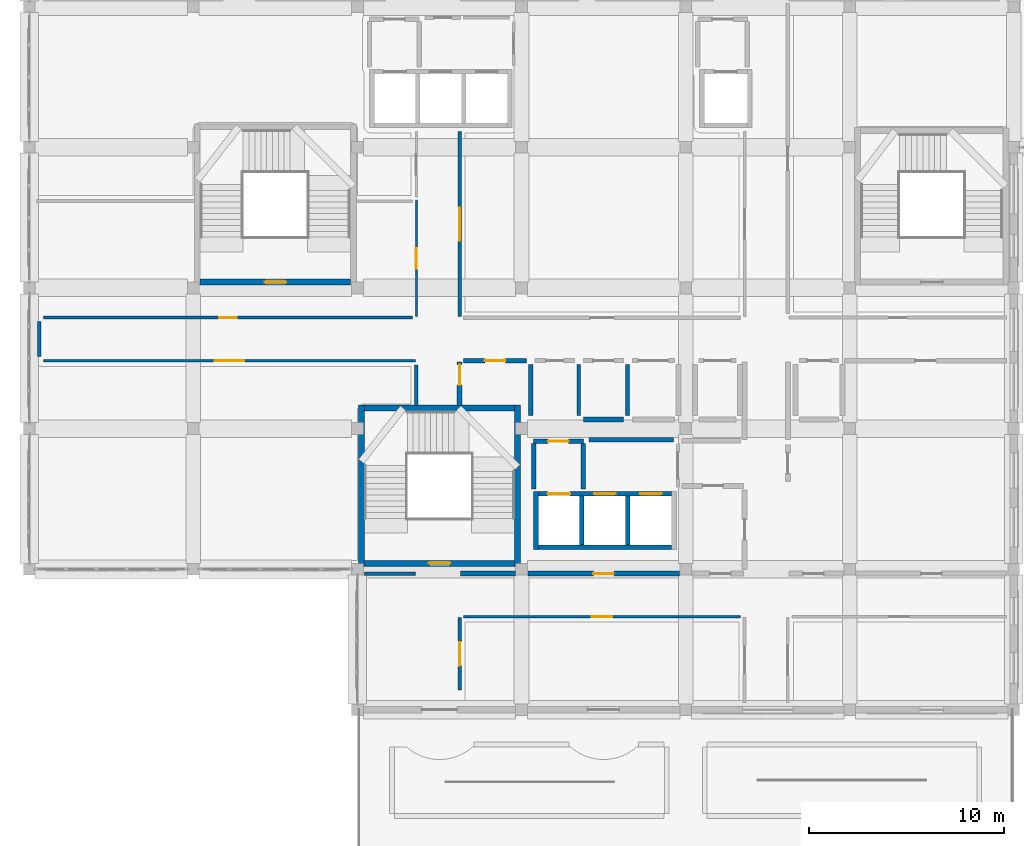
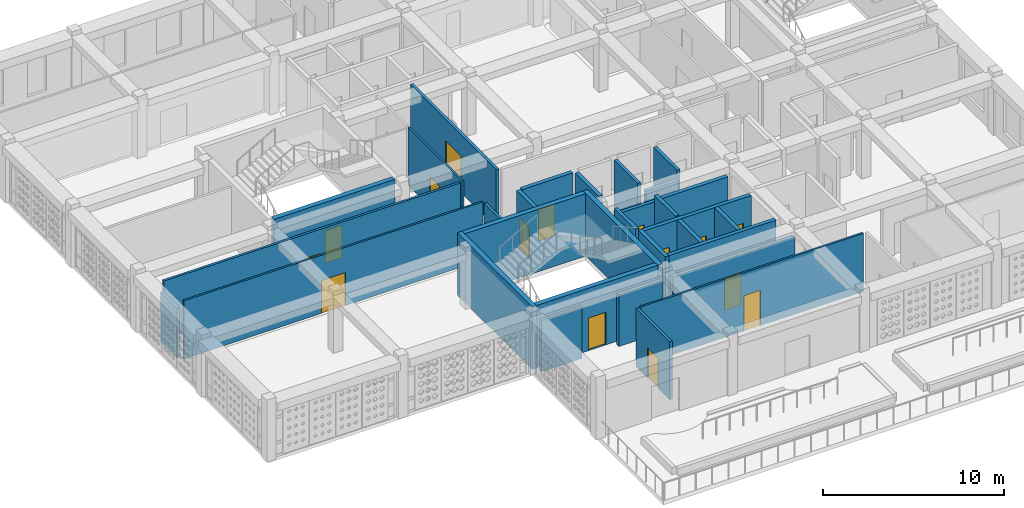
# One storey, part 28 of 48: 31 walls, 15 doors, 15 openings.
"""IFC4 building model written with IfcOpenShell, lengths in metres."""

from ifc_helpers import new_model, si_unit, derived_unit, direction, frame, frame_2d, origin, place, context, subcontext, project, spatial, rectangle, extrude, material, layer, layer_set, type_object, element, fill, save


model = new_model("IFC4")

# Units and contexts
model_context = context("Model", 3, precision=1e-05, world=origin(), true_north=direction((0.0, 1.0)))
body_context = subcontext(model_context, "Body", "Model", "MODEL_VIEW")
ifc_project = project(units=[si_unit("LENGTHUNIT", "METRE"), si_unit("AREAUNIT", "SQUARE_METRE"), si_unit("VOLUMEUNIT", "CUBIC_METRE"), si_unit("PLANEANGLEUNIT", "RADIAN"), si_unit("MASSUNIT", "GRAM", prefix="KILO"), derived_unit("THERMALTRANSMITTANCEUNIT", [(si_unit("POWERUNIT", "WATT"), 1), (si_unit("LENGTHUNIT", "METRE"), -2), (si_unit("THERMODYNAMICTEMPERATUREUNIT", "KELVIN"), -1)])], contexts=[model_context])

# Site, building, storey
site_placement = place(None, origin())
site = spatial("IfcSite", under=ifc_project, at=site_placement, CompositionType="ELEMENT")
building_placement = place(site_placement, origin())
building = spatial("IfcBuilding", under=site, at=building_placement, Name="Veybourne Emporium", CompositionType="ELEMENT")
storey_placement = place(building_placement, frame((0.0, 0.0, 27.89990234375)))
storey = spatial("IfcBuildingStorey", under=building, at=storey_placement, Name="L06", CompositionType="ELEMENT", Elevation=27.89990234375)

# Wall, opening, door
ifc_material_1 = material(Name="Concrete C40/50", Category="concrete")
ifc_layer_1 = layer(ifc_material_1, 0.300048828125)
ifc_layer_set_1 = layer_set([ifc_layer_1], Name="Concrete C40/50")
wall_type_1 = type_object("IfcWallType", Name="IntWall_CW-03", PredefinedType="SHEAR", material=ifc_layer_set_1)
wall_1_placement = place(storey_placement, frame((24.85009765625, 14.699951171875, 0.0), z_axis=(0.0, 0.0, 1.0), x_axis=(-1.0, 0.0, 0.0)))
wall_1 = element("IfcWall", 1, at=wall_1_placement, inside=storey, type_object=wall_type_1, Name="Core stair ST-01 south shear wall (L06)", PredefinedType="SHEAR", context=body_context, shape_type="SweptSolid", body=[
    extrude(rectangle(XDim=7.7001953125, YDim=0.300048828125, at=frame_2d((3.85009765625, 0.0))), origin(), (0.0, 0.0, 1.0), 4.2001953125),
])
opening_1_placement = place(wall_1_placement, frame((3.300048828125, 0.0, 0.0)))
opening_1 = element("IfcOpeningElement", 2, at=opening_1_placement, cuts=wall_1, Name="Opening FD-01", PredefinedType="OPENING", context=body_context, shape_type="SweptSolid", body=[
    extrude(rectangle(XDim=1.10009765625, YDim=2.199951171875, at=frame_2d((0.550048828125, 1.10009765625))), frame((0.0, 0.169921875, 0.0), z_axis=(0.0, -1.0, 0.0), x_axis=(1.0, 0.0, 0.0)), (0.0, 0.0, 1.0), 0.340087890625),
])
ifc_material_2 = material(Name="Patinated Architectural Bronze", Category="bronze")
door_type_1 = type_object("IfcDoorType", Name="FireDoor_FD-01", OperationType="NOTDEFINED", PredefinedType="DOOR", material=ifc_material_2)
door_1_placement = place(opening_1_placement, origin())
door_1 = element("IfcDoor", 3, at=door_1_placement, inside=storey, type_object=door_type_1, Name="Stair ST-01 fire door (L06)", OperationType="SINGLE_SWING_LEFT", OverallHeight=2.199951171875, OverallWidth=1.10009765625, PredefinedType="DOOR", context=body_context, shape_type="SweptSolid", body=[
    extrude(rectangle(XDim=1.10009765625, YDim=2.199951171875, at=frame_2d((0.550048828125, 1.10009765625))), frame((0.0, 0.02490234375, 0.0), z_axis=(0.0, -1.0, 0.0), x_axis=(1.0, 0.0, 0.0)), (0.0, 0.0, 1.0), 0.050048828125),
])
fill(opening_1, door_1)

# Walls
wall_2_placement = place(storey_placement, frame((17.14990234375, 22.64990234375, 0.0), z_axis=(0.0, 0.0, 1.0), x_axis=(1.0, 0.0, 0.0)))
element("IfcWall", 4, at=wall_2_placement, inside=storey, type_object=wall_type_1, Name="Core stair ST-01 north shear wall (L06)", PredefinedType="SHEAR", context=body_context, shape_type="SweptSolid", body=[
    extrude(rectangle(XDim=7.7001953125, YDim=0.300048828125, at=frame_2d((3.85009765625, 0.0))), origin(), (0.0, 0.0, 1.0), 4.2001953125),
])
for number, where, z_axis, x_axis, name in (
    (5, (17.0, 22.800048828125, 0.0), (0.0, 0.0, 1.0), (0.0, -1.0, 0.0), "Core stair ST-01 west shear wall (L06)"),
    (6, (25.0, 14.550048828125, 0.0), (0.0, 0.0, 1.0), (0.0, 1.0, 0.0), "Core stair ST-01 east shear wall (L06)"),
):
    element("IfcWall", number, at=place(storey_placement, frame(where, z_axis=z_axis, x_axis=x_axis)), inside=storey, type_object=wall_type_1, Name=name, PredefinedType="SHEAR", context=body_context, shape_type="SweptSolid", body=[
        extrude(rectangle(XDim=8.25, YDim=0.300048828125, at=frame_2d((4.125, 0.0))), origin(), (0.0, 0.0, 1.0), 4.2001953125),
    ])

# Wall, opening, door
wall_3_placement = place(storey_placement, frame((16.449951171875, 29.10009765625, 0.0), z_axis=(0.0, 0.0, 1.0), x_axis=(-1.0, 0.0, 0.0)))
wall_3 = element("IfcWall", 7, at=wall_3_placement, inside=storey, type_object=wall_type_1, Name="Core stair ST-02 south shear wall (L06)", PredefinedType="SHEAR", context=body_context, shape_type="SweptSolid", body=[
    extrude(rectangle(XDim=7.699951171875, YDim=0.300048828125, at=frame_2d((3.85009765625, 0.0))), origin(), (0.0, 0.0, 1.0), 4.2001953125),
])
opening_2_placement = place(wall_3_placement, frame((3.300048828125, 0.0, 0.0)))
opening_2 = element("IfcOpeningElement", 8, at=opening_2_placement, cuts=wall_3, Name="Opening FD-01", PredefinedType="OPENING", context=body_context, shape_type="SweptSolid", body=[
    extrude(rectangle(XDim=1.10009765625, YDim=2.199951171875, at=frame_2d((0.550048828125, 1.10009765625))), frame((0.0, 0.169921875, 0.0), z_axis=(0.0, -1.0, 0.0), x_axis=(1.0, 0.0, 0.0)), (0.0, 0.0, 1.0), 0.340087890625),
])
door_2_placement = place(opening_2_placement, origin())
door_2 = element("IfcDoor", 9, at=door_2_placement, inside=storey, type_object=door_type_1, Name="Stair ST-02 fire door (L06)", OperationType="SINGLE_SWING_RIGHT", OverallHeight=2.199951171875, OverallWidth=1.10009765625, PredefinedType="DOOR", context=body_context, shape_type="SweptSolid", body=[
    extrude(rectangle(XDim=1.10009765625, YDim=2.199951171875, at=frame_2d((0.550048828125, 1.10009765625))), frame((0.0, 0.02490234375, 0.0), z_axis=(0.0, -1.0, 0.0), x_axis=(1.0, 0.0, 0.0)), (0.0, 0.0, 1.0), 0.050048828125),
])
fill(opening_2, door_2)

# Wall, openings, doors
ifc_layer_2 = layer(ifc_material_1, 0.239990234375)
ifc_layer_set_2 = layer_set([ifc_layer_2], Name="Concrete C40/50")
wall_type_2 = type_object("IfcWallType", Name="IntWall_CW-04", PredefinedType="SHEAR", material=ifc_layer_set_2)
wall_4_placement = place(storey_placement, frame((32.8798828125, 18.27001953125, 0.0), z_axis=(0.0, 0.0, 1.0), x_axis=(-1.0, 0.0, 0.0)))
wall_4 = element("IfcWall", 10, at=wall_4_placement, inside=storey, type_object=wall_type_2, Name="Lift core C1 north shaft wall (L06)", PredefinedType="SHEAR", context=body_context, shape_type="SweptSolid", body=[
    extrude(rectangle(XDim=6.81982421875, YDim=0.239990234375, at=frame_2d((3.409912109375, 0.0))), origin(), (0.0, 0.0, 1.0), 3.91015625),
])
opening_3_placement = place(wall_4_placement, frame((5.195068359375, 0.0, 0.0)))
opening_3 = element("IfcOpeningElement", 11, at=opening_3_placement, cuts=wall_4, Name="Opening LD-02", PredefinedType="OPENING", context=body_context, shape_type="SweptSolid", body=[
    extrude(rectangle(XDim=1.14990234375, YDim=2.25, at=frame_2d((0.574951171875, 1.125))), frame((0.0, 0.14013671875, 0.0), z_axis=(0.0, -1.0, 0.0), x_axis=(1.0, 0.0, 0.0)), (0.0, 0.0, 1.0), 0.280029296875),
])
opening_4_placement = place(wall_4_placement, frame((2.8701171875, 0.0, 0.0)))
opening_4 = element("IfcOpeningElement", 12, at=opening_4_placement, cuts=wall_4, Name="Opening LD-01", PredefinedType="OPENING", context=body_context, shape_type="SweptSolid", body=[
    extrude(rectangle(XDim=1.10009765625, YDim=2.199951171875, at=frame_2d((0.550048828125, 1.10009765625))), frame((0.0, 0.14013671875, 0.0), z_axis=(0.0, -1.0, 0.0), x_axis=(1.0, 0.0, 0.0)), (0.0, 0.0, 1.0), 0.280029296875),
])
opening_5_placement = place(wall_4_placement, frame((0.510009765625, 0.0, 0.0)))
opening_5 = element("IfcOpeningElement", 13, at=opening_5_placement, cuts=wall_4, Name="Opening LD-01", PredefinedType="OPENING", context=body_context, shape_type="SweptSolid", body=[
    extrude(rectangle(XDim=1.10009765625, YDim=2.199951171875, at=frame_2d((0.550048828125, 1.10009765625))), frame((0.0, 0.14013671875, 0.0), z_axis=(0.0, -1.0, 0.0), x_axis=(1.0, 0.0, 0.0)), (0.0, 0.0, 1.0), 0.280029296875),
])
door_type_2 = type_object("IfcDoorType", Name="FireDoor_LD-01", OperationType="DOUBLE_DOOR_SLIDING", PredefinedType="DOOR", material=ifc_material_2)
door_3_placement = place(opening_4_placement, origin())
door_3 = element("IfcDoor", 14, at=door_3_placement, inside=storey, type_object=door_type_2, Name="Lift PL-01 sliding landing door (L06)", OperationType="DOUBLE_DOOR_SLIDING", OverallHeight=2.199951171875, OverallWidth=1.10009765625, PredefinedType="DOOR", context=body_context, shape_type="SweptSolid", body=[
    extrude(rectangle(XDim=1.10009765625, YDim=2.199951171875, at=frame_2d((0.550048828125, 1.10009765625))), frame((0.0, 0.02490234375, 0.0), z_axis=(0.0, -1.0, 0.0), x_axis=(1.0, 0.0, 0.0)), (0.0, 0.0, 1.0), 0.050048828125),
])
fill(opening_4, door_3)
door_4_placement = place(opening_5_placement, origin())
door_4 = element("IfcDoor", 15, at=door_4_placement, inside=storey, type_object=door_type_2, Name="Lift PL-02 sliding landing door (L06)", OperationType="DOUBLE_DOOR_SLIDING", OverallHeight=2.199951171875, OverallWidth=1.10009765625, PredefinedType="DOOR", context=body_context, shape_type="SweptSolid", body=[
    extrude(rectangle(XDim=1.10009765625, YDim=2.199951171875, at=frame_2d((0.550048828125, 1.10009765625))), frame((0.0, 0.02490234375, 0.0), z_axis=(0.0, -1.0, 0.0), x_axis=(1.0, 0.0, 0.0)), (0.0, 0.0, 1.0), 0.050048828125),
])
fill(opening_5, door_4)
door_type_3 = type_object("IfcDoorType", Name="FireDoor_LD-02", OperationType="SLIDING_TO_LEFT", PredefinedType="DOOR", material=ifc_material_2)
door_5_placement = place(opening_3_placement, origin())
door_5 = element("IfcDoor", 16, at=door_5_placement, inside=storey, type_object=door_type_3, Name="Lift FFL-01 sliding landing door (L06)", OperationType="SLIDING_TO_LEFT", OverallHeight=2.25, OverallWidth=1.14990234375, PredefinedType="DOOR", context=body_context, shape_type="SweptSolid", body=[
    extrude(rectangle(XDim=1.14990234375, YDim=2.25, at=frame_2d((0.574951171875, 1.125))), frame((0.0, 0.02490234375, 0.0), z_axis=(0.0, -1.0, 0.0), x_axis=(1.0, 0.0, 0.0)), (0.0, 0.0, 1.0), 0.050048828125),
])
fill(opening_3, door_5)

# Walls
wall_5_placement = place(storey_placement, frame((26.06005859375, 15.530029296875, 0.0), z_axis=(0.0, 0.0, 1.0), x_axis=(1.0, 0.0, 0.0)))
element("IfcWall", 17, at=wall_5_placement, inside=storey, type_object=wall_type_2, Name="Lift core C1 south shaft wall (L06)", PredefinedType="SHEAR", context=body_context, shape_type="SweptSolid", body=[
    extrude(rectangle(XDim=6.81982421875, YDim=0.239990234375, at=frame_2d((3.409912109375, 0.0))), origin(), (0.0, 0.0, 1.0), 3.91015625),
])
wall_6_placement = place(storey_placement, frame((25.93994140625, 18.389892578125, 0.0), z_axis=(0.0, 0.0, 1.0), x_axis=(0.0, -1.0, 0.0)))
element("IfcWall", 18, at=wall_6_placement, inside=storey, type_object=wall_type_2, Name="Lift core C1 west shaft wall (L06)", PredefinedType="SHEAR", context=body_context, shape_type="SweptSolid", body=[
    extrude(rectangle(XDim=2.97998046875, YDim=0.239990234375, at=frame_2d((1.489990234375, 0.0))), origin(), (0.0, 0.0, 1.0), 3.91015625),
])
for number, where, z_axis, x_axis, name in (
    (19, (28.280029296875, 15.64990234375, 0.0), (0.0, 0.0, 1.0), (0.0, 1.0, 0.0), "Lift core C1 divider wall 1 (L06)"),
    (20, (30.639892578125, 15.64990234375, 0.0), (0.0, 0.0, 1.0), (0.0, 1.0, 0.0), "Lift core C1 divider wall 2 (L06)"),
):
    element("IfcWall", number, at=place(storey_placement, frame(where, z_axis=z_axis, x_axis=x_axis)), inside=storey, type_object=wall_type_2, Name=name, PredefinedType="SHEAR", context=body_context, shape_type="SweptSolid", body=[
        extrude(rectangle(XDim=2.5, YDim=0.239990234375, at=frame_2d((1.25, 0.0))), origin(), (0.0, 0.0, 1.0), 3.91015625),
    ])
ifc_material_3 = material(Name="Concrete C32/40", Category="concrete")
ifc_layer_3 = layer(ifc_material_3, 0.25)
ifc_layer_set_3 = layer_set([ifc_layer_3], Name="Concrete C32/40")
wall_type_3 = type_object("IfcWallType", Name="IntWall_FW-01", PredefinedType="SOLIDWALL", material=ifc_layer_set_3)
wall_7_placement = place(storey_placement, frame((22.080078125, 14.179931640625, 0.0), z_axis=(0.0, 0.0, 1.0), x_axis=(1.0, 0.0, 0.0)))
element("IfcWall", 21, at=wall_7_placement, inside=storey, type_object=wall_type_3, Name="L06 interior partition FW-01 #006", PredefinedType="SOLIDWALL", context=body_context, shape_type="SweptSolid", body=[
    extrude(rectangle(XDim=2.7998046875, YDim=0.25, at=frame_2d((1.39990234375, 0.0))), origin(), (0.0, 0.0, 1.0), 3.460205078125),
])

# Wall, opening, door
wall_8_placement = place(storey_placement, frame((25.52001953125, 14.179931640625, 0.0), z_axis=(0.0, 0.0, 1.0), x_axis=(1.0, 0.0, 0.0)))
wall_8 = element("IfcWall", 22, at=wall_8_placement, inside=storey, type_object=wall_type_3, Name="L06 interior partition FW-01 #007", PredefinedType="SOLIDWALL", context=body_context, shape_type="SweptSolid", body=[
    extrude(rectangle(XDim=7.760009765625, YDim=0.25, at=frame_2d((3.8798828125, 0.0))), origin(), (0.0, 0.0, 1.0), 3.460205078125),
])
opening_6_placement = place(wall_8_placement, frame((3.35498046875, 0.0, 0.0)))
opening_6 = element("IfcOpeningElement", 23, at=opening_6_placement, cuts=wall_8, Name="Opening FD-02", PredefinedType="OPENING", context=body_context, shape_type="SweptSolid", body=[
    extrude(rectangle(XDim=1.050048828125, YDim=2.14990234375, at=frame_2d((0.52490234375, 1.074951171875))), frame((0.0, 0.14501953125, 0.0), z_axis=(0.0, -1.0, 0.0), x_axis=(1.0, 0.0, 0.0)), (0.0, 0.0, 1.0), 0.2900390625),
])
door_type_4 = type_object("IfcDoorType", Name="FireDoor_FD-02", OperationType="NOTDEFINED", PredefinedType="DOOR", material=ifc_material_2)
door_6_placement = place(opening_6_placement, origin())
door_6 = element("IfcDoor", 24, at=door_6_placement, inside=storey, type_object=door_type_4, Name="L06 interior door FD-02 (PART-L06-007)", OperationType="SINGLE_SWING_RIGHT", OverallHeight=2.14990234375, OverallWidth=1.050048828125, PredefinedType="DOOR", context=body_context, shape_type="SweptSolid", body=[
    extrude(rectangle(XDim=1.050048828125, YDim=2.14990234375, at=frame_2d((0.52490234375, 1.074951171875))), frame((0.0, 0.02490234375, 0.0), z_axis=(0.0, -1.0, 0.0), x_axis=(1.0, 0.0, 0.0)), (0.0, 0.0, 1.0), 0.050048828125),
])
fill(opening_6, door_6)

# Wall
wall_9_placement = place(storey_placement, frame((28.64990234375, 21.030029296875, 0.0), z_axis=(0.0, 0.0, 1.0), x_axis=(1.0, 0.0, 0.0)))
element("IfcWall", 25, at=wall_9_placement, inside=storey, type_object=wall_type_3, Name="L06 interior partition FW-01 #026", PredefinedType="SOLIDWALL", context=body_context, shape_type="SweptSolid", body=[
    extrude(rectangle(XDim=4.340087890625, YDim=0.25, at=frame_2d((2.169921875, 0.0))), origin(), (0.0, 0.0, 1.0), 3.460205078125),
])

# Wall, opening, door
wall_10_placement = place(storey_placement, frame((22.239990234375, 25.070068359375, 0.0), z_axis=(0.0, 0.0, 1.0), x_axis=(1.0, 0.0, 0.0)))
wall_10 = element("IfcWall", 26, at=wall_10_placement, inside=storey, type_object=wall_type_3, Name="L06 interior partition FW-01 #035", PredefinedType="SOLIDWALL", context=body_context, shape_type="SweptSolid", body=[
    extrude(rectangle(XDim=3.219970703125, YDim=0.25, at=frame_2d((1.60986328125, 0.0))), origin(), (0.0, 0.0, 1.0), 3.91015625),
])
opening_7_placement = place(wall_10_placement, frame((1.0849609375, 0.0, 0.0)))
opening_7 = element("IfcOpeningElement", 27, at=opening_7_placement, cuts=wall_10, Name="Opening FD-02", PredefinedType="OPENING", context=body_context, shape_type="SweptSolid", body=[
    extrude(rectangle(XDim=1.050048828125, YDim=2.14990234375, at=frame_2d((0.52490234375, 1.074951171875))), frame((0.0, 0.14501953125, 0.0), z_axis=(0.0, -1.0, 0.0), x_axis=(1.0, 0.0, 0.0)), (0.0, 0.0, 1.0), 0.2900390625),
])
door_7_placement = place(opening_7_placement, origin())
door_7 = element("IfcDoor", 28, at=door_7_placement, inside=storey, type_object=door_type_4, Name="L06 interior door FD-02 (PART-L06-035)", OperationType="SINGLE_SWING_RIGHT", OverallHeight=2.14990234375, OverallWidth=1.050048828125, PredefinedType="DOOR", context=body_context, shape_type="SweptSolid", body=[
    extrude(rectangle(XDim=1.050048828125, YDim=2.14990234375, at=frame_2d((0.52490234375, 1.074951171875))), frame((0.0, 0.02490234375, 0.0), z_axis=(0.0, -1.0, 0.0), x_axis=(1.0, 0.0, 0.0)), (0.0, 0.0, 1.0), 0.050048828125),
])
fill(opening_7, door_7)

wall_11_placement = place(storey_placement, frame((22.030029296875, 22.7900390625, 0.0), z_axis=(0.0, 0.0, 1.0), x_axis=(0.0, 1.0, 0.0)))
wall_11 = element("IfcWall", 29, at=wall_11_placement, inside=storey, type_object=wall_type_3, Name="L06 interior partition FW-01 #041", PredefinedType="SOLIDWALL", context=body_context, shape_type="SweptSolid", body=[
    extrude(rectangle(XDim=2.22998046875, YDim=0.25, at=frame_2d((1.114990234375, 0.0))), origin(), (0.0, 0.0, 1.0), 3.91015625),
])
opening_8_placement = place(wall_11_placement, frame((1.038330078125, 0.0, 0.0)))
opening_8 = element("IfcOpeningElement", 30, at=opening_8_placement, cuts=wall_11, Name="Opening FD-02", PredefinedType="OPENING", context=body_context, shape_type="SweptSolid", body=[
    extrude(rectangle(XDim=1.050048828125, YDim=2.14990234375, at=frame_2d((0.52490234375, 1.074951171875))), frame((0.0, 0.14501953125, 0.0), z_axis=(0.0, -1.0, 0.0), x_axis=(1.0, 0.0, 0.0)), (0.0, 0.0, 1.0), 0.2900390625),
])
door_8_placement = place(opening_8_placement, origin())
door_8 = element("IfcDoor", 31, at=door_8_placement, inside=storey, type_object=door_type_4, Name="L06 interior door FD-02 (PART-L06-041)", OperationType="SINGLE_SWING_LEFT", OverallHeight=2.14990234375, OverallWidth=1.050048828125, PredefinedType="DOOR", context=body_context, shape_type="SweptSolid", body=[
    extrude(rectangle(XDim=1.050048828125, YDim=2.14990234375, at=frame_2d((0.52490234375, 1.074951171875))), frame((0.0, 0.02490234375, 0.0), z_axis=(0.0, -1.0, 0.0), x_axis=(1.0, 0.0, 0.0)), (0.0, 0.0, 1.0), 0.050048828125),
])
fill(opening_8, door_8)

# Walls
wall_12_placement = place(storey_placement, frame((25.669921875, 22.280029296875, 0.0), z_axis=(0.0, 0.0, 1.0), x_axis=(0.0, 1.0, 0.0)))
element("IfcWall", 32, at=wall_12_placement, inside=storey, type_object=wall_type_3, Name="L06 interior partition FW-01 #057", PredefinedType="SOLIDWALL", context=body_context, shape_type="SweptSolid", body=[
    extrude(rectangle(XDim=2.590087890625, YDim=0.25, at=frame_2d((1.294921875, 0.0))), origin(), (0.0, 0.0, 1.0), 3.91015625),
])
wall_13_placement = place(storey_placement, frame((28.3798828125, 22.070068359375, 0.0), z_axis=(0.0, 0.0, 1.0), x_axis=(1.0, 0.0, 0.0)))
element("IfcWall", 33, at=wall_13_placement, inside=storey, type_object=wall_type_3, Name="L06 interior partition FW-01 #065", PredefinedType="SOLIDWALL", context=body_context, shape_type="SweptSolid", body=[
    extrude(rectangle(XDim=2.0400390625, YDim=0.25, at=frame_2d((1.02001953125, 0.0))), origin(), (0.0, 0.0, 1.0), 3.460205078125),
])

# Wall, opening, door
ifc_layer_4 = layer(ifc_material_3, 0.219970703125)
ifc_layer_set_4 = layer_set([ifc_layer_4], Name="Concrete C32/40")
wall_type_4 = type_object("IfcWallType", Name="IntWall_FW-02", PredefinedType="SOLIDWALL", material=ifc_layer_set_4)
wall_14_placement = place(storey_placement, frame((25.820068359375, 20.949951171875, 0.0), z_axis=(0.0, 0.0, 1.0), x_axis=(1.0, 0.0, 0.0)))
wall_14 = element("IfcWall", 34, at=wall_14_placement, inside=storey, type_object=wall_type_4, Name="Firefighting lobby C1 fire wall N (L06)", PredefinedType="SOLIDWALL", context=body_context, shape_type="SweptSolid", body=[
    extrude(rectangle(XDim=2.5400390625, YDim=0.219970703125, at=frame_2d((1.27001953125, 0.0))), origin(), (0.0, 0.0, 1.0), 3.460205078125),
])
opening_9_placement = place(wall_14_placement, frame((0.7451171875, 0.0, 0.0)))
opening_9 = element("IfcOpeningElement", 35, at=opening_9_placement, cuts=wall_14, Name="Opening FD-02", PredefinedType="OPENING", context=body_context, shape_type="SweptSolid", body=[
    extrude(rectangle(XDim=1.050048828125, YDim=2.14990234375, at=frame_2d((0.52490234375, 1.074951171875))), frame((0.0, 0.1298828125, 0.0), z_axis=(0.0, -1.0, 0.0), x_axis=(1.0, 0.0, 0.0)), (0.0, 0.0, 1.0), 0.260009765625),
])
door_9_placement = place(opening_9_placement, origin())
door_9 = element("IfcDoor", 36, at=door_9_placement, inside=storey, type_object=door_type_4, Name="Firefighting lobby C1 FD60S door N (L06)", OperationType="SINGLE_SWING_LEFT", OverallHeight=2.14990234375, OverallWidth=1.050048828125, PredefinedType="DOOR", context=body_context, shape_type="SweptSolid", body=[
    extrude(rectangle(XDim=1.050048828125, YDim=2.14990234375, at=frame_2d((0.52490234375, 1.074951171875))), frame((0.0, 0.02490234375, 0.0), z_axis=(0.0, -1.0, 0.0), x_axis=(1.0, 0.0, 0.0)), (0.0, 0.0, 1.0), 0.050048828125),
])
fill(opening_9, door_9)

# Walls
for number, where, z_axis, x_axis, name in (
    (37, (25.820068359375, 18.510009765625, 0.0), (0.0, 0.0, 1.0), (0.0, 1.0, 0.0), "Firefighting lobby C1 fire wall W (L06)"),
    (38, (28.360107421875, 18.510009765625, 0.0), (0.0, 0.0, 1.0), (0.0, 1.0, 0.0), "Firefighting lobby C1 fire wall E (L06)"),
):
    element("IfcWall", number, at=place(storey_placement, frame(where, z_axis=z_axis, x_axis=x_axis)), inside=storey, type_object=wall_type_4, Name=name, PredefinedType="SOLIDWALL", context=body_context, shape_type="SweptSolid", body=[
        extrude(rectangle(XDim=2.320068359375, YDim=0.219970703125, at=frame_2d((1.16015625, 0.0))), origin(), (0.0, 0.0, 1.0), 3.91015625),
    ])

# Wall, opening, door
ifc_material_4 = material(Name="Gypsum Acoustic Board", Category="gypsum")
ifc_layer_5 = layer(ifc_material_4, 0.179931640625)
ifc_layer_set_5 = layer_set([ifc_layer_5], Name="Gypsum Acoustic Board")
wall_type_5 = type_object("IfcWallType", Name="IntWall_IW-01", PredefinedType="PARTITIONING", material=ifc_layer_set_5)
wall_15_placement = place(storey_placement, frame((22.030029296875, 27.330078125, 0.0), z_axis=(0.0, 0.0, 1.0), x_axis=(0.0, 1.0, 0.0)))
wall_15 = element("IfcWall", 39, at=wall_15_placement, inside=storey, type_object=wall_type_5, Name="L06 interior partition IW-01 #020", PredefinedType="PARTITIONING", context=body_context, shape_type="SweptSolid", body=[
    extrude(rectangle(XDim=9.469970703125, YDim=0.179931640625, at=frame_2d((4.73486328125, 0.0))), origin(), (0.0, 0.0, 1.0), 3.91015625),
])
opening_10_placement = place(wall_15_placement, frame((3.89501953125, 0.0, 0.0)))
opening_10 = element("IfcOpeningElement", 40, at=opening_10_placement, cuts=wall_15, Name="Opening D-36", PredefinedType="OPENING", context=body_context, shape_type="SweptSolid", body=[
    extrude(rectangle(XDim=1.679931640625, YDim=2.449951171875, at=frame_2d((0.83984375, 1.22509765625))), frame((0.0, 0.10986328125, 0.0), z_axis=(0.0, -1.0, 0.0), x_axis=(1.0, 0.0, 0.0)), (0.0, 0.0, 1.0), 0.219970703125),
])
ifc_material_5 = material(Name="European Oak Veneer and Bronze", Category="wood")
door_type_5 = type_object("IfcDoorType", Name="IntDoor_D-36", OperationType="DOUBLE_DOOR_SINGLE_SWING", PredefinedType="DOOR", material=ifc_material_5)
door_10_placement = place(opening_10_placement, origin())
door_10 = element("IfcDoor", 41, at=door_10_placement, inside=storey, type_object=door_type_5, Name="L06 interior door D-36 (PART-L06-020)", OperationType="DOUBLE_DOOR_SINGLE_SWING", OverallHeight=2.449951171875, OverallWidth=1.679931640625, PredefinedType="DOOR", context=body_context, shape_type="SweptSolid", body=[
    extrude(rectangle(XDim=1.679931640625, YDim=2.449951171875, at=frame_2d((0.83984375, 1.22509765625))), frame((0.0, 0.02490234375, 0.0), z_axis=(0.0, -1.0, 0.0), x_axis=(1.0, 0.0, 0.0)), (0.0, 0.0, 1.0), 0.050048828125),
])
fill(opening_10, door_10)

wall_16_placement = place(storey_placement, frame((22.030029296875, 8.22021484375, 0.0), z_axis=(0.0, 0.0, 1.0), x_axis=(0.0, 1.0, 0.0)))
wall_16 = element("IfcWall", 42, at=wall_16_placement, inside=storey, type_object=wall_type_5, Name="L06 interior partition IW-01 #023", PredefinedType="PARTITIONING", context=body_context, shape_type="SweptSolid", body=[
    extrude(rectangle(XDim=3.69970703125, YDim=0.179931640625, at=frame_2d((1.849853515625, 0.0))), origin(), (0.0, 0.0, 1.0), 3.91015625),
])
opening_11_placement = place(wall_16_placement, frame((1.25, 0.0, 0.0)))
opening_11 = element("IfcOpeningElement", 43, at=opening_11_placement, cuts=wall_16, Name="Opening D-03", PredefinedType="OPENING", context=body_context, shape_type="SweptSolid", body=[
    extrude(rectangle(XDim=1.199951171875, YDim=2.050048828125, at=frame_2d((0.60009765625, 1.02490234375))), frame((0.0, 0.10986328125, 0.0), z_axis=(0.0, -1.0, 0.0), x_axis=(1.0, 0.0, 0.0)), (0.0, 0.0, 1.0), 0.219970703125),
])
door_type_6 = type_object("IfcDoorType", Name="IntDoor_D-03", OperationType="NOTDEFINED", PredefinedType="DOOR", material=ifc_material_5)
door_11_placement = place(opening_11_placement, origin())
door_11 = element("IfcDoor", 44, at=door_11_placement, inside=storey, type_object=door_type_6, Name="L06 interior door D-03 (PART-L06-023)", OperationType="SINGLE_SWING_LEFT", OverallHeight=2.050048828125, OverallWidth=1.199951171875, PredefinedType="DOOR", context=body_context, shape_type="SweptSolid", body=[
    extrude(rectangle(XDim=1.199951171875, YDim=2.050048828125, at=frame_2d((0.60009765625, 1.02490234375))), frame((0.0, 0.02490234375, 0.0), z_axis=(0.0, -1.0, 0.0), x_axis=(1.0, 0.0, 0.0)), (0.0, 0.0, 1.0), 0.050048828125),
])
fill(opening_11, door_11)

# Walls
wall_17_placement = place(storey_placement, frame((17.169921875, 14.179931640625, 0.0), z_axis=(0.0, 0.0, 1.0), x_axis=(1.0, 0.0, 0.0)))
element("IfcWall", 45, at=wall_17_placement, inside=storey, type_object=wall_type_5, Name="L06 interior partition IW-01 #038", PredefinedType="PARTITIONING", context=body_context, shape_type="SweptSolid", body=[
    extrude(rectangle(XDim=2.60009765625, YDim=0.179931640625, at=frame_2d((1.300048828125, 0.0))), origin(), (0.0, 0.0, 1.0), 3.460205078125),
])
wall_18_placement = place(storey_placement, frame((19.820068359375, 22.7900390625, 0.0), z_axis=(0.0, 0.0, 1.0), x_axis=(0.0, 1.0, 0.0)))
element("IfcWall", 46, at=wall_18_placement, inside=storey, type_object=wall_type_5, Name="L06 interior partition IW-01 #044", PredefinedType="PARTITIONING", context=body_context, shape_type="SweptSolid", body=[
    extrude(rectangle(XDim=2.070068359375, YDim=0.179931640625, at=frame_2d((1.03515625, 0.0))), origin(), (0.0, 0.0, 1.0), 3.91015625),
])
wall_19_placement = place(storey_placement, frame((0.52001953125, 25.280029296875, 0.0), z_axis=(0.0, 0.0, 1.0), x_axis=(0.0, 1.0, 0.0)))
element("IfcWall", 47, at=wall_19_placement, inside=storey, type_object=wall_type_5, Name="L06 interior partition IW-01 #053", PredefinedType="PARTITIONING", context=body_context, shape_type="SweptSolid", body=[
    extrude(rectangle(XDim=1.7900390625, YDim=0.179931640625, at=frame_2d((0.89501953125, 0.0))), origin(), (0.0, 0.0, 1.0), 3.360107421875),
])

# Wall, opening, door
ifc_layer_6 = layer(ifc_material_4, 0.14990234375)
ifc_layer_set_6 = layer_set([ifc_layer_6], Name="Gypsum Acoustic Board")
wall_type_6 = type_object("IfcWallType", Name="IntWall_IW-02", PredefinedType="PARTITIONING", material=ifc_layer_set_6)
wall_20_placement = place(storey_placement, frame((0.72998046875, 27.280029296875, 0.0), z_axis=(0.0, 0.0, 1.0), x_axis=(1.0, 0.0, 0.0)))
wall_20 = element("IfcWall", 48, at=wall_20_placement, inside=storey, type_object=wall_type_6, Name="L06 interior partition IW-02 #003", PredefinedType="PARTITIONING", context=body_context, shape_type="SweptSolid", body=[
    extrude(rectangle(XDim=18.880126953125, YDim=0.14990234375, at=frame_2d((9.43994140625, 0.0))), origin(), (0.0, 0.0, 1.0), 3.91015625),
])
opening_12_placement = place(wall_20_placement, frame((9.0, 0.0, 0.0)))
opening_12 = element("IfcOpeningElement", 49, at=opening_12_placement, cuts=wall_20, Name="Opening D-19", PredefinedType="OPENING", context=body_context, shape_type="SweptSolid", body=[
    extrude(rectangle(XDim=0.8798828125, YDim=2.2900390625, at=frame_2d((0.43994140625, 1.14501953125))), frame((0.0, 0.094970703125, 0.0), z_axis=(0.0, -1.0, 0.0), x_axis=(1.0, 0.0, 0.0)), (0.0, 0.0, 1.0), 0.18994140625),
])
door_type_7 = type_object("IfcDoorType", Name="IntDoor_D-19", OperationType="NOTDEFINED", PredefinedType="DOOR", material=ifc_material_5)
door_12_placement = place(opening_12_placement, origin())
door_12 = element("IfcDoor", 50, at=door_12_placement, inside=storey, type_object=door_type_7, Name="L06 interior door D-19 (PART-L06-003)", OperationType="SINGLE_SWING_LEFT", OverallHeight=2.2900390625, OverallWidth=0.8798828125, PredefinedType="DOOR", context=body_context, shape_type="SweptSolid", body=[
    extrude(rectangle(XDim=0.8798828125, YDim=2.2900390625, at=frame_2d((0.43994140625, 1.14501953125))), frame((0.0, 0.02490234375, 0.0), z_axis=(0.0, -1.0, 0.0), x_axis=(1.0, 0.0, 0.0)), (0.0, 0.0, 1.0), 0.050048828125),
])
fill(opening_12, door_12)

ifc_layer_7 = layer(ifc_material_4, 0.1201171875)
ifc_layer_set_7 = layer_set([ifc_layer_7], Name="Gypsum Acoustic Board")
wall_type_7 = type_object("IfcWallType", Name="IntWall_IW-03", PredefinedType="PARTITIONING", material=ifc_layer_set_7)
wall_21_placement = place(storey_placement, frame((0.72998046875, 25.070068359375, 0.0), z_axis=(0.0, 0.0, 1.0), x_axis=(1.0, 0.0, 0.0)))
wall_21 = element("IfcWall", 51, at=wall_21_placement, inside=storey, type_object=wall_type_7, Name="L06 interior partition IW-03 #001", PredefinedType="PARTITIONING", context=body_context, shape_type="SweptSolid", body=[
    extrude(rectangle(XDim=19.0400390625, YDim=0.1201171875, at=frame_2d((9.52001953125, 0.0))), origin(), (0.0, 0.0, 1.0), 3.91015625),
])
opening_13_placement = place(wall_21_placement, frame((8.760009765625, 0.0, 0.0)))
opening_13 = element("IfcOpeningElement", 52, at=opening_13_placement, cuts=wall_21, Name="Opening D-17", PredefinedType="OPENING", context=body_context, shape_type="SweptSolid", body=[
    extrude(rectangle(XDim=1.52001953125, YDim=2.2099609375, at=frame_2d((0.760009765625, 1.10498046875))), frame((0.0, 0.080078125, 0.0), z_axis=(0.0, -1.0, 0.0), x_axis=(1.0, 0.0, 0.0)), (0.0, 0.0, 1.0), 0.16015625),
])
door_type_8 = type_object("IfcDoorType", Name="IntDoor_D-17", OperationType="NOTDEFINED", PredefinedType="DOOR", material=ifc_material_5)
door_13_placement = place(opening_13_placement, origin())
door_13 = element("IfcDoor", 53, at=door_13_placement, inside=storey, type_object=door_type_8, Name="L06 interior door D-17 (PART-L06-001)", OperationType="SINGLE_SWING_RIGHT", OverallHeight=2.2099609375, OverallWidth=1.52001953125, PredefinedType="DOOR", context=body_context, shape_type="SweptSolid", body=[
    extrude(rectangle(XDim=1.52001953125, YDim=2.2099609375, at=frame_2d((0.760009765625, 1.10498046875))), frame((0.0, 0.02490234375, 0.0), z_axis=(0.0, -1.0, 0.0), x_axis=(1.0, 0.0, 0.0)), (0.0, 0.0, 1.0), 0.050048828125),
])
fill(opening_13, door_13)

wall_22_placement = place(storey_placement, frame((22.239990234375, 11.969970703125, 0.0), z_axis=(0.0, 0.0, 1.0), x_axis=(1.0, 0.0, 0.0)))
wall_22 = element("IfcWall", 54, at=wall_22_placement, inside=storey, type_object=wall_type_7, Name="L06 interior partition IW-03 #010", PredefinedType="PARTITIONING", context=body_context, shape_type="SweptSolid", body=[
    extrude(rectangle(XDim=14.169921875, YDim=0.1201171875, at=frame_2d((7.0849609375, 0.0))), origin(), (0.0, 0.0, 1.0), 3.91015625),
])
opening_14_placement = place(wall_22_placement, frame((6.56494140625, 0.0, 0.0)))
opening_14 = element("IfcOpeningElement", 55, at=opening_14_placement, cuts=wall_22, Name="Opening D-26", PredefinedType="OPENING", context=body_context, shape_type="SweptSolid", body=[
    extrude(rectangle(XDim=1.0400390625, YDim=2.3701171875, at=frame_2d((0.52001953125, 1.18505859375))), frame((0.0, 0.080078125, 0.0), z_axis=(0.0, -1.0, 0.0), x_axis=(1.0, 0.0, 0.0)), (0.0, 0.0, 1.0), 0.16015625),
])
door_type_9 = type_object("IfcDoorType", Name="IntDoor_D-26", OperationType="NOTDEFINED", PredefinedType="DOOR", material=ifc_material_5)
door_14_placement = place(opening_14_placement, origin())
door_14 = element("IfcDoor", 56, at=door_14_placement, inside=storey, type_object=door_type_9, Name="L06 interior door D-26 (PART-L06-010)", OperationType="SINGLE_SWING_LEFT", OverallHeight=2.3701171875, OverallWidth=1.0400390625, PredefinedType="DOOR", context=body_context, shape_type="SweptSolid", body=[
    extrude(rectangle(XDim=1.0400390625, YDim=2.3701171875, at=frame_2d((0.52001953125, 1.18505859375))), frame((0.0, 0.02490234375, 0.0), z_axis=(0.0, -1.0, 0.0), x_axis=(1.0, 0.0, 0.0)), (0.0, 0.0, 1.0), 0.050048828125),
])
fill(opening_14, door_14)

wall_23_placement = place(storey_placement, frame((19.820068359375, 27.330078125, 0.0), z_axis=(0.0, 0.0, 1.0), x_axis=(0.0, 1.0, 0.0)))
wall_23 = element("IfcWall", 57, at=wall_23_placement, inside=storey, type_object=wall_type_7, Name="L06 interior partition IW-03 #022", PredefinedType="PARTITIONING", context=body_context, shape_type="SweptSolid", body=[
    extrude(rectangle(XDim=5.9599609375, YDim=0.1201171875, at=frame_2d((2.97998046875, 0.0))), origin(), (0.0, 0.0, 1.0), 3.91015625),
])
opening_15_placement = place(wall_23_placement, frame((2.4599609375, 0.0, 0.0)))
opening_15 = element("IfcOpeningElement", 58, at=opening_15_placement, cuts=wall_23, Name="Opening D-02", PredefinedType="OPENING", context=body_context, shape_type="SweptSolid", body=[
    extrude(rectangle(XDim=1.0400390625, YDim=2.050048828125, at=frame_2d((0.52001953125, 1.02490234375))), frame((0.0, 0.080078125, 0.0), z_axis=(0.0, -1.0, 0.0), x_axis=(1.0, 0.0, 0.0)), (0.0, 0.0, 1.0), 0.16015625),
])
door_type_10 = type_object("IfcDoorType", Name="IntDoor_D-02", OperationType="NOTDEFINED", PredefinedType="DOOR", material=ifc_material_5)
door_15_placement = place(opening_15_placement, origin())
door_15 = element("IfcDoor", 59, at=door_15_placement, inside=storey, type_object=door_type_10, Name="L06 interior door D-02 (PART-L06-022)", OperationType="SINGLE_SWING_RIGHT", OverallHeight=2.050048828125, OverallWidth=1.0400390625, PredefinedType="DOOR", context=body_context, shape_type="SweptSolid", body=[
    extrude(rectangle(XDim=1.0400390625, YDim=2.050048828125, at=frame_2d((0.52001953125, 1.02490234375))), frame((0.0, 0.02490234375, 0.0), z_axis=(0.0, -1.0, 0.0), x_axis=(1.0, 0.0, 0.0)), (0.0, 0.0, 1.0), 0.050048828125),
])
fill(opening_15, door_15)

# Walls
ifc_layer_8 = layer(ifc_material_4, 0.199951171875)
ifc_layer_set_8 = layer_set([ifc_layer_8], Name="Gypsum Acoustic Board")
wall_type_8 = type_object("IfcWallType", Name="IntWall_IW-04", PredefinedType="PLUMBINGWALL", material=ifc_layer_set_8)
for number, where, z_axis, x_axis, name in (
    (60, (28.1298828125, 22.280029296875, 0.0), (0.0, 0.0, 1.0), (0.0, 1.0, 0.0), "L06 interior partition IW-04 #056"),
    (61, (30.6298828125, 22.280029296875, 0.0), (0.0, 0.0, 1.0), (0.0, 1.0, 0.0), "L06 interior partition IW-04 #058"),
):
    element("IfcWall", number, at=place(storey_placement, frame(where, z_axis=z_axis, x_axis=x_axis)), inside=storey, type_object=wall_type_8, Name=name, PredefinedType="PLUMBINGWALL", context=body_context, shape_type="SweptSolid", body=[
        extrude(rectangle(XDim=2.590087890625, YDim=0.199951171875, at=frame_2d((1.294921875, 0.0))), origin(), (0.0, 0.0, 1.0), 3.91015625),
    ])

save(model, "model.ifc")
